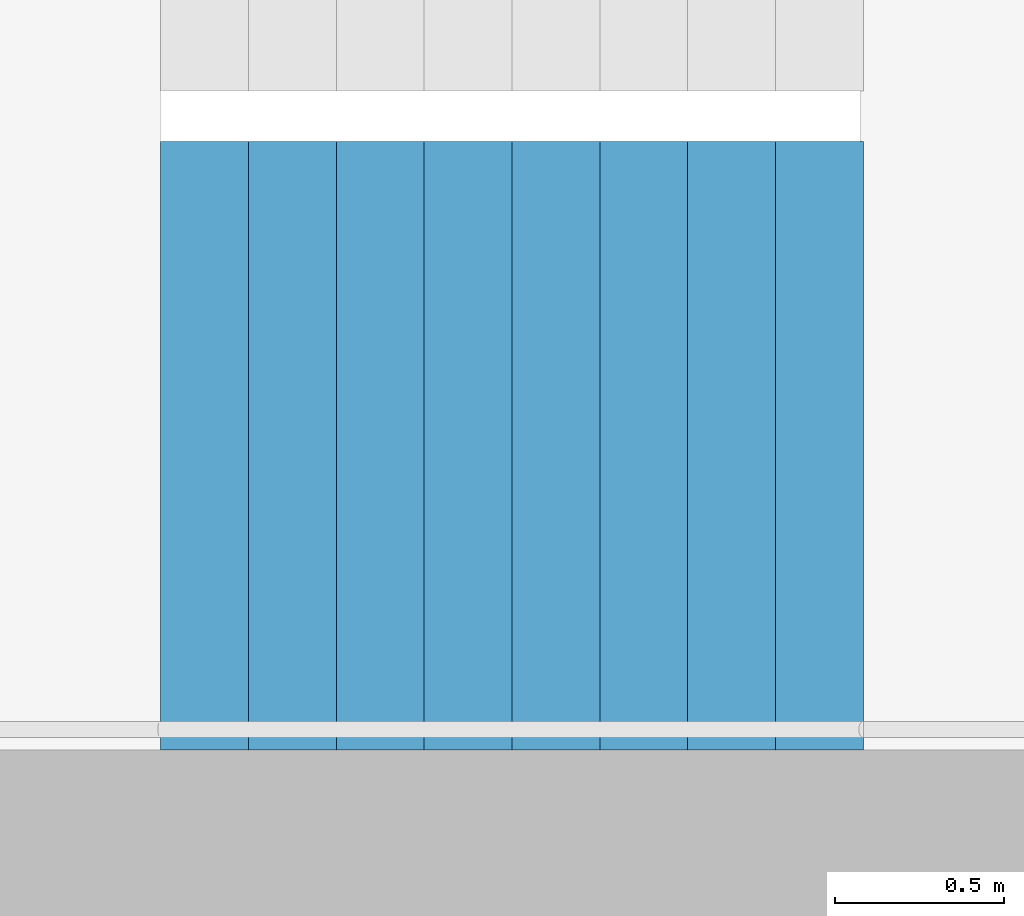
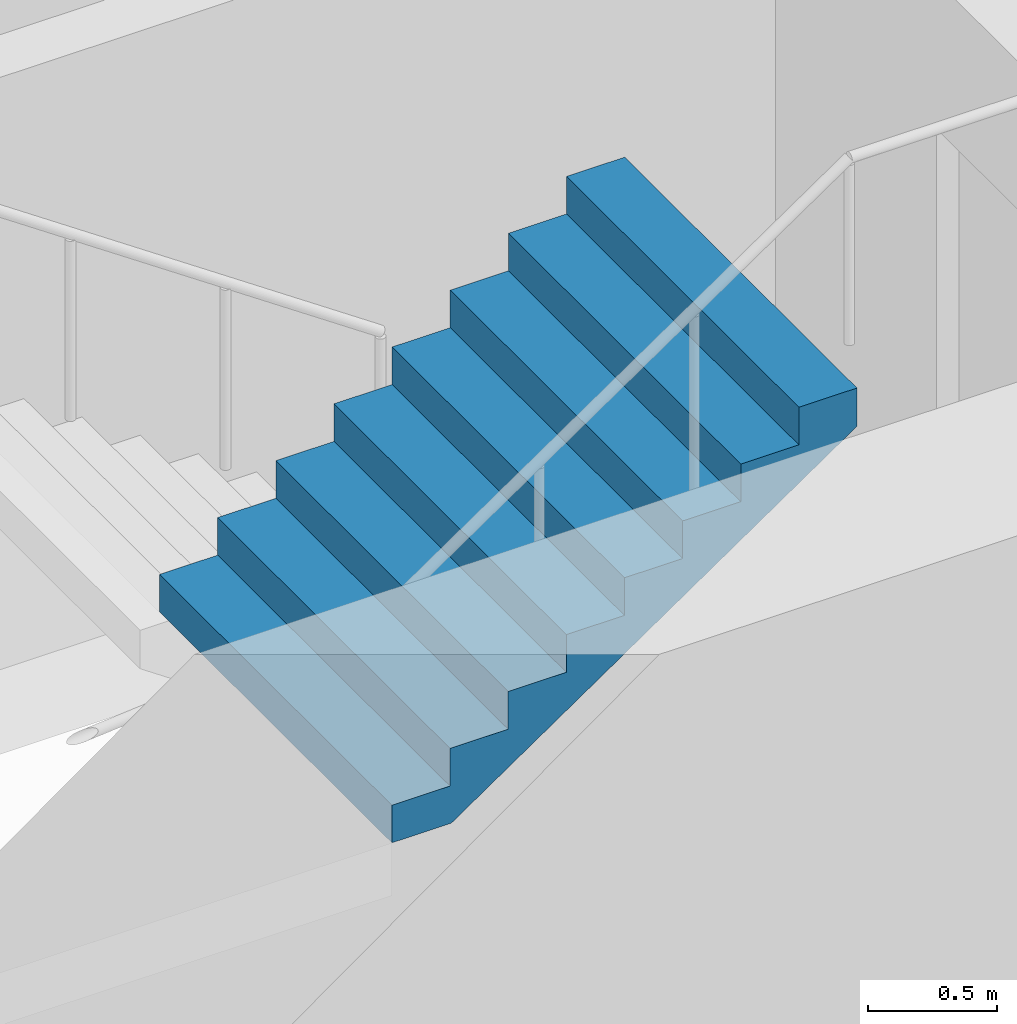
# One storey, part 21 of 29: 1 stair flight, 1 element without a shape of its own.
"""IFC4 building model written with IfcOpenShell, lengths in metres."""

from ifc_helpers import new_model, si_unit, direction, frame, origin, place, context, subcontext, project, spatial, triangles, material, type_object, element, aggregate, save


model = new_model("IFC4")

# Units and contexts
model_context = context("Model", 3, precision=1e-05, world=origin(), true_north=direction((0.0, 1.0)))
body_context = subcontext(model_context, "Body", "Model", "MODEL_VIEW")
ifc_project = project(units=[si_unit("LENGTHUNIT", "METRE"), si_unit("AREAUNIT", "SQUARE_METRE"), si_unit("VOLUMEUNIT", "CUBIC_METRE"), si_unit("PLANEANGLEUNIT", "RADIAN"), si_unit("MASSUNIT", "GRAM", prefix="KILO")], contexts=[model_context])

# Site, building, storey
site_placement = place(None, origin())
site = spatial("IfcSite", under=ifc_project, at=site_placement, CompositionType="ELEMENT")
building_placement = place(site_placement, origin())
building = spatial("IfcBuilding", under=site, at=building_placement, Name="Hakoniwa Tower and Hamabe Station Hall", CompositionType="ELEMENT")
storey_placement = place(building_placement, frame((0.0, 0.0, 110.60009765625)))
storey = spatial("IfcBuildingStorey", under=building, at=storey_placement, Name="L31", CompositionType="ELEMENT", Elevation=110.60009765625)

# Stair, stair flight
ifc_material_1 = material(Name="Concrete C40", Category="concrete")
stair_type = type_object("IfcStairType", Name="ESCAPE STAIR 1800", PredefinedType="HALF_TURN_STAIR", material=ifc_material_1)
stair_placement = place(storey_placement, origin())
stair = element("IfcStair", 1, at=stair_placement, inside=storey, type_object=stair_type, Name="Escape stair ST-2 L31", PredefinedType="HALF_TURN_STAIR")
ifc_material_2 = material(Name="Concrete C40", Category="concrete")
stair_flight_type = type_object("IfcStairFlightType", Name="STAIR FLIGHT 1800", PredefinedType="STRAIGHT", material=ifc_material_2)
stair_flight_placement = place(storey_placement, frame((-25.47998046875, -6.60009765625, 1.599853515625), z_axis=(0.0, 0.0, 1.0), x_axis=(1.0, 0.0, 0.0)))
stair_flight = element("IfcStairFlight", 2, at=stair_flight_placement, type_object=stair_flight_type, Name="ST-2 flight 2", NumberOfRisers=9, NumberOfTreads=8, PredefinedType="STRAIGHT", RiserHeight=0.177777778, TreadLength=0.26, context=body_context, shape_type="Tessellation", body=[
    triangles([(0.0, 0.89990234375, 0.0), (0.260009765625, 0.89990234375, 0.0), (0.265625, 0.89990234375, 0.0), (0.52001953125, 0.89990234375, 0.174072265625), (0.780029296875, 0.89990234375, 0.351806640625), (1.0400390625, 0.89990234375, 0.529541015625), (1.300048828125, 0.89990234375, 0.707275390625), (1.56005859375, 0.89990234375, 0.885009765625), (1.820068359375, 0.89990234375, 1.062744140625), (2.080078125, 0.89990234375, 1.24072265625), (2.080078125, 0.89990234375, 1.422119140625), (1.820068359375, 0.89990234375, 1.422119140625), (1.820068359375, 0.89990234375, 1.244384765625), (1.56005859375, 0.89990234375, 1.244384765625), (1.56005859375, 0.89990234375, 1.066650390625), (1.300048828125, 0.89990234375, 1.066650390625), (1.300048828125, 0.89990234375, 0.888916015625), (1.0400390625, 0.89990234375, 0.888916015625), (1.0400390625, 0.89990234375, 0.711181640625), (0.780029296875, 0.89990234375, 0.711181640625), (0.780029296875, 0.89990234375, 0.533447265625), (0.52001953125, 0.89990234375, 0.533447265625), (0.52001953125, 0.89990234375, 0.35546875), (0.265625, 0.89990234375, 0.35546875), (0.260009765625, 0.89990234375, 0.35546875), (0.260009765625, 0.89990234375, 0.177734375), (0.0, 0.89990234375, 0.177734375), (0.0, 0.06005859375, 0.0), (0.260009765625, 0.06005859375, 0.0), (0.265625, 0.06005859375, 0.0), (0.52001953125, 0.06005859375, 0.174072265625), (0.780029296875, 0.06005859375, 0.351806640625), (1.0400390625, 0.06005859375, 0.529541015625), (1.300048828125, 0.06005859375, 0.707275390625), (1.56005859375, 0.06005859375, 0.885009765625), (1.820068359375, 0.06005859375, 1.062744140625), (2.080078125, 0.06005859375, 1.24072265625), (2.080078125, 0.06005859375, 1.422119140625), (1.820068359375, 0.06005859375, 1.422119140625), (1.820068359375, 0.06005859375, 1.244384765625), (1.56005859375, 0.06005859375, 1.244384765625), (1.56005859375, 0.06005859375, 1.066650390625), (1.300048828125, 0.06005859375, 1.066650390625), (1.300048828125, 0.06005859375, 0.888916015625), (1.0400390625, 0.06005859375, 0.888916015625), (1.0400390625, 0.06005859375, 0.711181640625), (0.780029296875, 0.06005859375, 0.711181640625), (0.780029296875, 0.06005859375, 0.533447265625), (0.52001953125, 0.06005859375, 0.533447265625), (0.52001953125, 0.06005859375, 0.35546875), (0.265625, 0.06005859375, 0.35546875), (0.260009765625, 0.06005859375, 0.35546875), (0.260009765625, 0.06005859375, 0.177734375), (0.0, 0.06005859375, 0.177734375), (0.0, 0.04296875, 0.0), (0.260009765625, 0.04296875, 0.0), (0.265625, 0.04296875, 0.0), (0.52001953125, 0.04296875, 0.174072265625), (0.780029296875, 0.04296875, 0.351806640625), (1.0400390625, 0.04296875, 0.529541015625), (1.300048828125, 0.04296875, 0.707275390625), (1.56005859375, 0.04296875, 0.885009765625), (1.820068359375, 0.04296875, 1.062744140625), (2.080078125, 0.04296875, 1.24072265625), (2.080078125, 0.04296875, 1.422119140625), (1.820068359375, 0.04296875, 1.422119140625), (1.820068359375, 0.04296875, 1.244384765625), (1.56005859375, 0.04296875, 1.244384765625), (1.56005859375, 0.04296875, 1.066650390625), (1.300048828125, 0.04296875, 1.066650390625), (1.300048828125, 0.04296875, 0.888916015625), (1.0400390625, 0.04296875, 0.888916015625), (1.0400390625, 0.04296875, 0.711181640625), (0.780029296875, 0.04296875, 0.711181640625), (0.780029296875, 0.04296875, 0.533447265625), (0.52001953125, 0.04296875, 0.533447265625), (0.52001953125, 0.04296875, 0.35546875), (0.265625, 0.04296875, 0.35546875), (0.260009765625, 0.04296875, 0.35546875), (0.260009765625, 0.04296875, 0.177734375), (0.0, 0.04296875, 0.177734375), (0.0, 0.025634765625, 0.0), (0.260009765625, 0.025634765625, 0.0), (0.265625, 0.025634765625, 0.0), (0.52001953125, 0.025634765625, 0.174072265625), (0.780029296875, 0.025634765625, 0.351806640625), (1.0400390625, 0.025634765625, 0.529541015625), (1.300048828125, 0.025634765625, 0.707275390625), (1.56005859375, 0.025634765625, 0.885009765625), (1.820068359375, 0.025634765625, 1.062744140625), (2.080078125, 0.025634765625, 1.24072265625), (2.080078125, 0.025634765625, 1.422119140625), (1.820068359375, 0.025634765625, 1.422119140625), (1.820068359375, 0.025634765625, 1.244384765625), (1.56005859375, 0.025634765625, 1.244384765625), (1.56005859375, 0.025634765625, 1.066650390625), (1.300048828125, 0.025634765625, 1.066650390625), (1.300048828125, 0.025634765625, 0.888916015625), (1.0400390625, 0.025634765625, 0.888916015625), (1.0400390625, 0.025634765625, 0.711181640625), (0.780029296875, 0.025634765625, 0.711181640625), (0.780029296875, 0.025634765625, 0.533447265625), (0.52001953125, 0.025634765625, 0.533447265625), (0.52001953125, 0.025634765625, 0.35546875), (0.265625, 0.025634765625, 0.35546875), (0.260009765625, 0.025634765625, 0.35546875), (0.260009765625, 0.025634765625, 0.177734375), (0.0, 0.025634765625, 0.177734375), (0.0, 0.008544921875, 0.0), (0.260009765625, 0.008544921875, 0.0), (0.265625, 0.008544921875, 0.0), (0.52001953125, 0.008544921875, 0.174072265625), (0.780029296875, 0.008544921875, 0.351806640625), (1.0400390625, 0.008544921875, 0.529541015625), (1.300048828125, 0.008544921875, 0.707275390625), (1.56005859375, 0.008544921875, 0.885009765625), (1.820068359375, 0.008544921875, 1.062744140625), (2.080078125, 0.008544921875, 1.24072265625), (2.080078125, 0.008544921875, 1.422119140625), (1.820068359375, 0.008544921875, 1.422119140625), (1.820068359375, 0.008544921875, 1.244384765625), (1.56005859375, 0.008544921875, 1.244384765625), (1.56005859375, 0.008544921875, 1.066650390625), (1.300048828125, 0.008544921875, 1.066650390625), (1.300048828125, 0.008544921875, 0.888916015625), (1.0400390625, 0.008544921875, 0.888916015625), (1.0400390625, 0.008544921875, 0.711181640625), (0.780029296875, 0.008544921875, 0.711181640625), (0.780029296875, 0.008544921875, 0.533447265625), (0.52001953125, 0.008544921875, 0.533447265625), (0.52001953125, 0.008544921875, 0.35546875), (0.265625, 0.008544921875, 0.35546875), (0.260009765625, 0.008544921875, 0.35546875), (0.260009765625, 0.008544921875, 0.177734375), (0.0, 0.008544921875, 0.177734375), (0.0, -0.008544921875, 0.0), (0.260009765625, -0.008544921875, 0.0), (0.265625, -0.008544921875, 0.0), (0.52001953125, -0.008544921875, 0.174072265625), (0.780029296875, -0.008544921875, 0.351806640625), (1.0400390625, -0.008544921875, 0.529541015625), (1.300048828125, -0.008544921875, 0.707275390625), (1.56005859375, -0.008544921875, 0.885009765625), (1.820068359375, -0.008544921875, 1.062744140625), (2.080078125, -0.008544921875, 1.24072265625), (2.080078125, -0.008544921875, 1.422119140625), (1.820068359375, -0.008544921875, 1.422119140625), (1.820068359375, -0.008544921875, 1.244384765625), (1.56005859375, -0.008544921875, 1.244384765625), (1.56005859375, -0.008544921875, 1.066650390625), (1.300048828125, -0.008544921875, 1.066650390625), (1.300048828125, -0.008544921875, 0.888916015625), (1.0400390625, -0.008544921875, 0.888916015625), (1.0400390625, -0.008544921875, 0.711181640625), (0.780029296875, -0.008544921875, 0.711181640625), (0.780029296875, -0.008544921875, 0.533447265625), (0.52001953125, -0.008544921875, 0.533447265625), (0.52001953125, -0.008544921875, 0.35546875), (0.265625, -0.008544921875, 0.35546875), (0.260009765625, -0.008544921875, 0.35546875), (0.260009765625, -0.008544921875, 0.177734375), (0.0, -0.008544921875, 0.177734375), (0.0, -0.025634765625, 0.0), (0.260009765625, -0.025634765625, 0.0), (0.265625, -0.025634765625, 0.0), (0.52001953125, -0.025634765625, 0.174072265625), (0.780029296875, -0.025634765625, 0.351806640625), (1.0400390625, -0.025634765625, 0.529541015625), (1.300048828125, -0.025634765625, 0.707275390625), (1.56005859375, -0.025634765625, 0.885009765625), (1.820068359375, -0.025634765625, 1.062744140625), (2.080078125, -0.025634765625, 1.24072265625), (2.080078125, -0.025634765625, 1.422119140625), (1.820068359375, -0.025634765625, 1.422119140625), (1.820068359375, -0.025634765625, 1.244384765625), (1.56005859375, -0.025634765625, 1.244384765625), (1.56005859375, -0.025634765625, 1.066650390625), (1.300048828125, -0.025634765625, 1.066650390625), (1.300048828125, -0.025634765625, 0.888916015625), (1.0400390625, -0.025634765625, 0.888916015625), (1.0400390625, -0.025634765625, 0.711181640625), (0.780029296875, -0.025634765625, 0.711181640625), (0.780029296875, -0.025634765625, 0.533447265625), (0.52001953125, -0.025634765625, 0.533447265625), (0.52001953125, -0.025634765625, 0.35546875), (0.265625, -0.025634765625, 0.35546875), (0.260009765625, -0.025634765625, 0.35546875), (0.260009765625, -0.025634765625, 0.177734375), (0.0, -0.025634765625, 0.177734375), (0.0, -0.04296875, 0.0), (0.260009765625, -0.04296875, 0.0), (0.265625, -0.04296875, 0.0), (0.52001953125, -0.04296875, 0.174072265625), (0.780029296875, -0.04296875, 0.351806640625), (1.0400390625, -0.04296875, 0.529541015625), (1.300048828125, -0.04296875, 0.707275390625), (1.56005859375, -0.04296875, 0.885009765625), (1.820068359375, -0.04296875, 1.062744140625), (2.080078125, -0.04296875, 1.24072265625), (2.080078125, -0.04296875, 1.422119140625), (1.820068359375, -0.04296875, 1.422119140625), (1.820068359375, -0.04296875, 1.244384765625), (1.56005859375, -0.04296875, 1.244384765625), (1.56005859375, -0.04296875, 1.066650390625), (1.300048828125, -0.04296875, 1.066650390625), (1.300048828125, -0.04296875, 0.888916015625), (1.0400390625, -0.04296875, 0.888916015625), (1.0400390625, -0.04296875, 0.711181640625), (0.780029296875, -0.04296875, 0.711181640625), (0.780029296875, -0.04296875, 0.533447265625), (0.52001953125, -0.04296875, 0.533447265625), (0.52001953125, -0.04296875, 0.35546875), (0.265625, -0.04296875, 0.35546875), (0.260009765625, -0.04296875, 0.35546875), (0.260009765625, -0.04296875, 0.177734375), (0.0, -0.04296875, 0.177734375), (0.0, -0.06005859375, 0.0), (0.260009765625, -0.06005859375, 0.0), (0.265625, -0.06005859375, 0.0), (0.52001953125, -0.06005859375, 0.174072265625), (0.780029296875, -0.06005859375, 0.351806640625), (1.0400390625, -0.06005859375, 0.529541015625), (1.300048828125, -0.06005859375, 0.707275390625), (1.56005859375, -0.06005859375, 0.885009765625), (1.820068359375, -0.06005859375, 1.062744140625), (2.080078125, -0.06005859375, 1.24072265625), (2.080078125, -0.06005859375, 1.422119140625), (1.820068359375, -0.06005859375, 1.422119140625), (1.820068359375, -0.06005859375, 1.244384765625), (1.56005859375, -0.06005859375, 1.244384765625), (1.56005859375, -0.06005859375, 1.066650390625), (1.300048828125, -0.06005859375, 1.066650390625), (1.300048828125, -0.06005859375, 0.888916015625), (1.0400390625, -0.06005859375, 0.888916015625), (1.0400390625, -0.06005859375, 0.711181640625), (0.780029296875, -0.06005859375, 0.711181640625), (0.780029296875, -0.06005859375, 0.533447265625), (0.52001953125, -0.06005859375, 0.533447265625), (0.52001953125, -0.06005859375, 0.35546875), (0.265625, -0.06005859375, 0.35546875), (0.260009765625, -0.06005859375, 0.35546875), (0.260009765625, -0.06005859375, 0.177734375), (0.0, -0.06005859375, 0.177734375), (0.0, -0.89990234375, 0.0), (0.260009765625, -0.89990234375, 0.0), (0.265625, -0.89990234375, 0.0), (0.52001953125, -0.89990234375, 0.174072265625), (0.780029296875, -0.89990234375, 0.351806640625), (1.0400390625, -0.89990234375, 0.529541015625), (1.300048828125, -0.89990234375, 0.707275390625), (1.56005859375, -0.89990234375, 0.885009765625), (1.820068359375, -0.89990234375, 1.062744140625), (2.080078125, -0.89990234375, 1.24072265625), (2.080078125, -0.89990234375, 1.422119140625), (1.820068359375, -0.89990234375, 1.422119140625), (1.820068359375, -0.89990234375, 1.244384765625), (1.56005859375, -0.89990234375, 1.244384765625), (1.56005859375, -0.89990234375, 1.066650390625), (1.300048828125, -0.89990234375, 1.066650390625), (1.300048828125, -0.89990234375, 0.888916015625), (1.0400390625, -0.89990234375, 0.888916015625), (1.0400390625, -0.89990234375, 0.711181640625), (0.780029296875, -0.89990234375, 0.711181640625), (0.780029296875, -0.89990234375, 0.533447265625), (0.52001953125, -0.89990234375, 0.533447265625), (0.52001953125, -0.89990234375, 0.35546875), (0.265625, -0.89990234375, 0.35546875), (0.260009765625, -0.89990234375, 0.35546875), (0.260009765625, -0.89990234375, 0.177734375), (0.0, -0.89990234375, 0.177734375)], [[2, 27, 26], [245, 269, 270], [2, 1, 27], [245, 270, 244], [3, 25, 24], [246, 267, 268], [3, 26, 25], [246, 268, 269], [3, 2, 26], [246, 269, 245], [4, 24, 23], [247, 266, 267], [4, 3, 24], [247, 267, 246], [5, 22, 21], [248, 264, 265], [5, 23, 22], [248, 265, 266], [5, 4, 23], [248, 266, 247], [6, 20, 19], [249, 262, 263], [6, 21, 20], [249, 263, 264], [6, 5, 21], [249, 264, 248], [7, 18, 17], [250, 260, 261], [7, 19, 18], [250, 261, 262], [7, 6, 19], [250, 262, 249], [8, 16, 15], [251, 258, 259], [8, 17, 16], [251, 259, 260], [8, 7, 17], [251, 260, 250], [9, 14, 13], [252, 256, 257], [9, 15, 14], [252, 257, 258], [9, 8, 15], [252, 258, 251], [10, 12, 11], [253, 254, 255], [10, 13, 12], [253, 255, 256], [10, 9, 13], [253, 256, 252], [1, 2, 29], [1, 29, 28], [28, 29, 56], [28, 56, 55], [55, 56, 83], [55, 83, 82], [82, 83, 110], [82, 110, 109], [109, 110, 137], [109, 137, 136], [136, 137, 164], [136, 164, 163], [163, 164, 191], [163, 191, 190], [190, 191, 218], [190, 218, 217], [217, 218, 245], [217, 245, 244], [2, 3, 30], [2, 30, 29], [29, 30, 57], [29, 57, 56], [56, 57, 84], [56, 84, 83], [83, 84, 111], [83, 111, 110], [110, 111, 138], [110, 138, 137], [137, 138, 165], [137, 165, 164], [164, 165, 192], [164, 192, 191], [191, 192, 219], [191, 219, 218], [218, 219, 246], [218, 246, 245], [3, 4, 31], [3, 31, 30], [30, 31, 58], [30, 58, 57], [57, 58, 85], [57, 85, 84], [84, 85, 112], [84, 112, 111], [111, 112, 139], [111, 139, 138], [138, 139, 166], [138, 166, 165], [165, 166, 193], [165, 193, 192], [192, 193, 220], [192, 220, 219], [219, 220, 247], [219, 247, 246], [4, 5, 32], [4, 32, 31], [31, 32, 59], [31, 59, 58], [58, 59, 86], [58, 86, 85], [85, 86, 113], [85, 113, 112], [112, 113, 140], [112, 140, 139], [139, 140, 167], [139, 167, 166], [166, 167, 194], [166, 194, 193], [193, 194, 221], [193, 221, 220], [220, 221, 248], [220, 248, 247], [5, 6, 33], [5, 33, 32], [32, 33, 60], [32, 60, 59], [59, 60, 87], [59, 87, 86], [86, 87, 114], [86, 114, 113], [113, 114, 141], [113, 141, 140], [140, 141, 168], [140, 168, 167], [167, 168, 195], [167, 195, 194], [194, 195, 222], [194, 222, 221], [221, 222, 249], [221, 249, 248], [6, 7, 34], [6, 34, 33], [33, 34, 61], [33, 61, 60], [60, 61, 88], [60, 88, 87], [87, 88, 115], [87, 115, 114], [114, 115, 142], [114, 142, 141], [141, 142, 169], [141, 169, 168], [168, 169, 196], [168, 196, 195], [195, 196, 223], [195, 223, 222], [222, 223, 250], [222, 250, 249], [7, 8, 35], [7, 35, 34], [34, 35, 62], [34, 62, 61], [61, 62, 89], [61, 89, 88], [88, 89, 116], [88, 116, 115], [115, 116, 143], [115, 143, 142], [142, 143, 170], [142, 170, 169], [169, 170, 197], [169, 197, 196], [196, 197, 224], [196, 224, 223], [223, 224, 251], [223, 251, 250], [8, 9, 36], [8, 36, 35], [35, 36, 63], [35, 63, 62], [62, 63, 90], [62, 90, 89], [89, 90, 117], [89, 117, 116], [116, 117, 144], [116, 144, 143], [143, 144, 171], [143, 171, 170], [170, 171, 198], [170, 198, 197], [197, 198, 225], [197, 225, 224], [224, 225, 252], [224, 252, 251], [9, 10, 37], [9, 37, 36], [36, 37, 64], [36, 64, 63], [63, 64, 91], [63, 91, 90], [90, 91, 118], [90, 118, 117], [117, 118, 145], [117, 145, 144], [144, 145, 172], [144, 172, 171], [171, 172, 199], [171, 199, 198], [198, 199, 226], [198, 226, 225], [225, 226, 253], [225, 253, 252], [10, 11, 38], [10, 38, 37], [37, 38, 65], [37, 65, 64], [64, 65, 92], [64, 92, 91], [91, 92, 119], [91, 119, 118], [118, 119, 146], [118, 146, 145], [145, 146, 173], [145, 173, 172], [172, 173, 200], [172, 200, 199], [199, 200, 227], [199, 227, 226], [226, 227, 254], [226, 254, 253], [11, 12, 39], [11, 39, 38], [38, 39, 66], [38, 66, 65], [65, 66, 93], [65, 93, 92], [92, 93, 120], [92, 120, 119], [119, 120, 147], [119, 147, 146], [146, 147, 174], [146, 174, 173], [173, 174, 201], [173, 201, 200], [200, 201, 228], [200, 228, 227], [227, 228, 255], [227, 255, 254], [12, 13, 40], [12, 40, 39], [39, 40, 67], [39, 67, 66], [66, 67, 94], [66, 94, 93], [93, 94, 121], [93, 121, 120], [120, 121, 148], [120, 148, 147], [147, 148, 175], [147, 175, 174], [174, 175, 202], [174, 202, 201], [201, 202, 229], [201, 229, 228], [228, 229, 256], [228, 256, 255], [13, 14, 41], [13, 41, 40], [40, 41, 68], [40, 68, 67], [67, 68, 95], [67, 95, 94], [94, 95, 122], [94, 122, 121], [121, 122, 149], [121, 149, 148], [148, 149, 176], [148, 176, 175], [175, 176, 203], [175, 203, 202], [202, 203, 230], [202, 230, 229], [229, 230, 257], [229, 257, 256], [14, 15, 42], [14, 42, 41], [41, 42, 69], [41, 69, 68], [68, 69, 96], [68, 96, 95], [95, 96, 123], [95, 123, 122], [122, 123, 150], [122, 150, 149], [149, 150, 177], [149, 177, 176], [176, 177, 204], [176, 204, 203], [203, 204, 231], [203, 231, 230], [230, 231, 258], [230, 258, 257], [15, 16, 43], [15, 43, 42], [42, 43, 70], [42, 70, 69], [69, 70, 97], [69, 97, 96], [96, 97, 124], [96, 124, 123], [123, 124, 151], [123, 151, 150], [150, 151, 178], [150, 178, 177], [177, 178, 205], [177, 205, 204], [204, 205, 232], [204, 232, 231], [231, 232, 259], [231, 259, 258], [16, 17, 44], [16, 44, 43], [43, 44, 71], [43, 71, 70], [70, 71, 98], [70, 98, 97], [97, 98, 125], [97, 125, 124], [124, 125, 152], [124, 152, 151], [151, 152, 179], [151, 179, 178], [178, 179, 206], [178, 206, 205], [205, 206, 233], [205, 233, 232], [232, 233, 260], [232, 260, 259], [17, 18, 45], [17, 45, 44], [44, 45, 72], [44, 72, 71], [71, 72, 99], [71, 99, 98], [98, 99, 126], [98, 126, 125], [125, 126, 153], [125, 153, 152], [152, 153, 180], [152, 180, 179], [179, 180, 207], [179, 207, 206], [206, 207, 234], [206, 234, 233], [233, 234, 261], [233, 261, 260], [18, 19, 46], [18, 46, 45], [45, 46, 73], [45, 73, 72], [72, 73, 100], [72, 100, 99], [99, 100, 127], [99, 127, 126], [126, 127, 154], [126, 154, 153], [153, 154, 181], [153, 181, 180], [180, 181, 208], [180, 208, 207], [207, 208, 235], [207, 235, 234], [234, 235, 262], [234, 262, 261], [19, 20, 47], [19, 47, 46], [46, 47, 74], [46, 74, 73], [73, 74, 101], [73, 101, 100], [100, 101, 128], [100, 128, 127], [127, 128, 155], [127, 155, 154], [154, 155, 182], [154, 182, 181], [181, 182, 209], [181, 209, 208], [208, 209, 236], [208, 236, 235], [235, 236, 263], [235, 263, 262], [20, 21, 48], [20, 48, 47], [47, 48, 75], [47, 75, 74], [74, 75, 102], [74, 102, 101], [101, 102, 129], [101, 129, 128], [128, 129, 156], [128, 156, 155], [155, 156, 183], [155, 183, 182], [182, 183, 210], [182, 210, 209], [209, 210, 237], [209, 237, 236], [236, 237, 264], [236, 264, 263], [21, 22, 49], [21, 49, 48], [48, 49, 76], [48, 76, 75], [75, 76, 103], [75, 103, 102], [102, 103, 130], [102, 130, 129], [129, 130, 157], [129, 157, 156], [156, 157, 184], [156, 184, 183], [183, 184, 211], [183, 211, 210], [210, 211, 238], [210, 238, 237], [237, 238, 265], [237, 265, 264], [22, 23, 50], [22, 50, 49], [49, 50, 77], [49, 77, 76], [76, 77, 104], [76, 104, 103], [103, 104, 131], [103, 131, 130], [130, 131, 158], [130, 158, 157], [157, 158, 185], [157, 185, 184], [184, 185, 212], [184, 212, 211], [211, 212, 239], [211, 239, 238], [238, 239, 266], [238, 266, 265], [23, 24, 51], [23, 51, 50], [50, 51, 78], [50, 78, 77], [77, 78, 105], [77, 105, 104], [104, 105, 132], [104, 132, 131], [131, 132, 159], [131, 159, 158], [158, 159, 186], [158, 186, 185], [185, 186, 213], [185, 213, 212], [212, 213, 240], [212, 240, 239], [239, 240, 267], [239, 267, 266], [24, 25, 52], [24, 52, 51], [51, 52, 79], [51, 79, 78], [78, 79, 106], [78, 106, 105], [105, 106, 133], [105, 133, 132], [132, 133, 160], [132, 160, 159], [159, 160, 187], [159, 187, 186], [186, 187, 214], [186, 214, 213], [213, 214, 241], [213, 241, 240], [240, 241, 268], [240, 268, 267], [25, 26, 53], [25, 53, 52], [52, 53, 80], [52, 80, 79], [79, 80, 107], [79, 107, 106], [106, 107, 134], [106, 134, 133], [133, 134, 161], [133, 161, 160], [160, 161, 188], [160, 188, 187], [187, 188, 215], [187, 215, 214], [214, 215, 242], [214, 242, 241], [241, 242, 269], [241, 269, 268], [26, 27, 54], [26, 54, 53], [53, 54, 81], [53, 81, 80], [80, 81, 108], [80, 108, 107], [107, 108, 135], [107, 135, 134], [134, 135, 162], [134, 162, 161], [161, 162, 189], [161, 189, 188], [188, 189, 216], [188, 216, 215], [215, 216, 243], [215, 243, 242], [242, 243, 270], [242, 270, 269], [27, 1, 28], [27, 28, 54], [54, 28, 55], [54, 55, 81], [81, 55, 82], [81, 82, 108], [108, 82, 109], [108, 109, 135], [135, 109, 136], [135, 136, 162], [162, 136, 163], [162, 163, 189], [189, 163, 190], [189, 190, 216], [216, 190, 217], [216, 217, 243], [243, 217, 244], [243, 244, 270]], closed=True),
])
aggregate(stair, [stair_flight])

save(model, "model.ifc")
